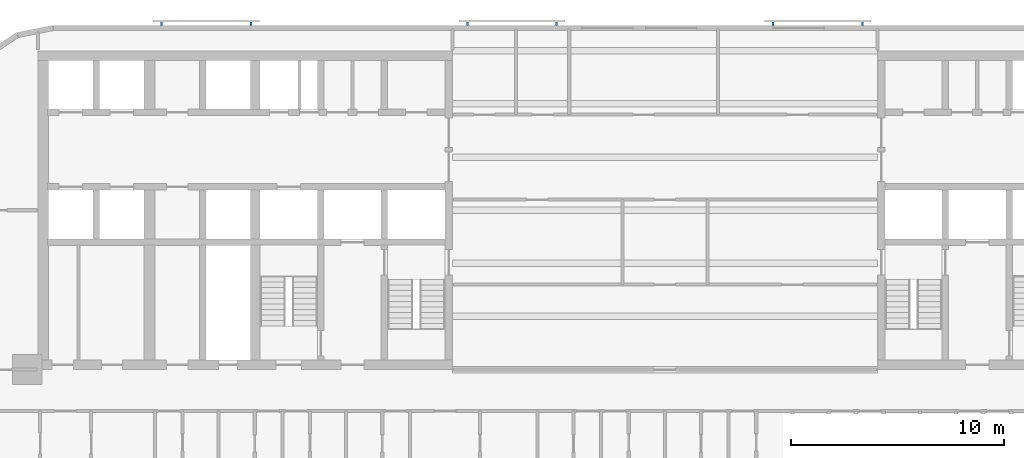
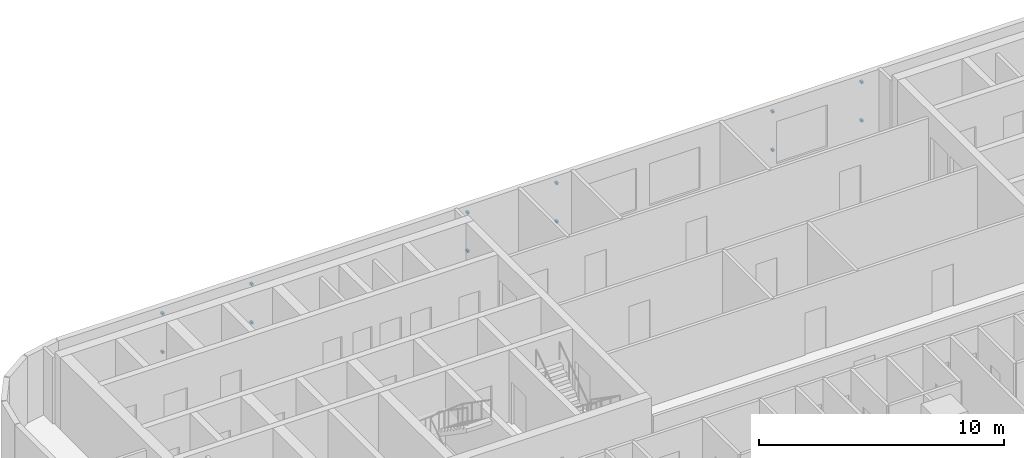
# One storey, part 11 of 15: 12 discrete accessories.
"""IFC4 building model written with IfcOpenShell, lengths in metres."""

from ifc_helpers import new_model, si_unit, direction, frame, origin, origin_2d, place, context, subcontext, project, spatial, rectangle, extrude, material, type_object, element, save


model = new_model("IFC4")

# Units and contexts
model_context = context("Model", 3, precision=1e-05, world=origin(), true_north=direction((0.0, 1.0)))
body_context = subcontext(model_context, "Body", "Model", "MODEL_VIEW")
ifc_project = project(units=[si_unit("LENGTHUNIT", "METRE"), si_unit("AREAUNIT", "SQUARE_METRE"), si_unit("VOLUMEUNIT", "CUBIC_METRE"), si_unit("PLANEANGLEUNIT", "RADIAN"), si_unit("MASSUNIT", "GRAM", prefix="KILO")], contexts=[model_context])

# Site, building, storey
site_placement = place(None, origin())
site = spatial("IfcSite", under=ifc_project, at=site_placement, CompositionType="ELEMENT")
building_placement = place(site_placement, origin())
building = spatial("IfcBuilding", under=site, at=building_placement, Name="Torana Hotel and Residences", CompositionType="ELEMENT")
storey_placement = place(building_placement, frame((0.0, 0.0, 31.199951171875)))
storey = spatial("IfcBuildingStorey", under=building, at=storey_placement, Name="L06", CompositionType="ELEMENT", Elevation=31.199951171875)

# Discrete accessories
ifc_material = material(Name="Steel S355", Category="steel")
discrete_accessory_type = type_object("IfcDiscreteAccessoryType", Name="SCREEN BRACKET 100", PredefinedType="BRACKET", material=ifc_material)
for number, where, z_axis, x_axis, name in (
    (1, (9.293701171875, 1.27490234375, 0.75), (0.0, 0.0, 1.0), (-1.0, 0.0, 0.0), "Screen bracket L06"),
    (2, (9.293701171875, 1.27490234375, 2.669921875), (0.0, 0.0, 1.0), (-1.0, 0.0, 0.0), "Screen bracket L06"),
    (3, (5.09375, 1.27490234375, 0.75), (0.0, 0.0, 1.0), (-1.0, 0.0, 0.0), "Screen bracket L06"),
    (4, (5.09375, 1.27490234375, 2.669921875), (0.0, 0.0, 1.0), (-1.0, 0.0, 0.0), "Screen bracket L06"),
    (5, (-5.09375, 1.27490234375, 0.75), (0.0, 0.0, 1.0), (-1.0, 0.0, 0.0), "Screen bracket L06"),
    (6, (-5.09375, 1.27490234375, 2.669921875), (0.0, 0.0, 1.0), (-1.0, 0.0, 0.0), "Screen bracket L06"),
    (7, (-9.293701171875, 1.27490234375, 0.75), (0.0, 0.0, 1.0), (-1.0, 0.0, 0.0), "Screen bracket L06"),
    (8, (-9.293701171875, 1.27490234375, 2.669921875), (0.0, 0.0, 1.0), (-1.0, 0.0, 0.0), "Screen bracket L06"),
    (9, (-19.4814453125, 1.27490234375, 0.75), (0.0, 0.0, 1.0), (-1.0, 0.0, 0.0), "Screen bracket L06"),
    (10, (-19.4814453125, 1.27490234375, 2.669921875), (0.0, 0.0, 1.0), (-1.0, 0.0, 0.0), "Screen bracket L06"),
    (11, (-23.681396484375, 1.27490234375, 0.75), (0.0, 0.0, 1.0), (-1.0, 0.0, 0.0), "Screen bracket L06"),
    (12, (-23.681396484375, 1.27490234375, 2.669921875), (0.0, 0.0, 1.0), (-1.0, 0.0, 0.0), "Screen bracket L06"),
):
    element("IfcDiscreteAccessory", number, at=place(storey_placement, frame(where, z_axis=z_axis, x_axis=x_axis)), inside=storey, type_object=discrete_accessory_type, Name=name, PredefinedType="BRACKET", context=body_context, shape_type="SweptSolid", body=[
        extrude(rectangle(XDim=0.10009765625, YDim=0.14990234375, at=origin_2d()), origin(), (0.0, 0.0, 1.0), 0.10009765625),
    ])

save(model, "model.ifc")
